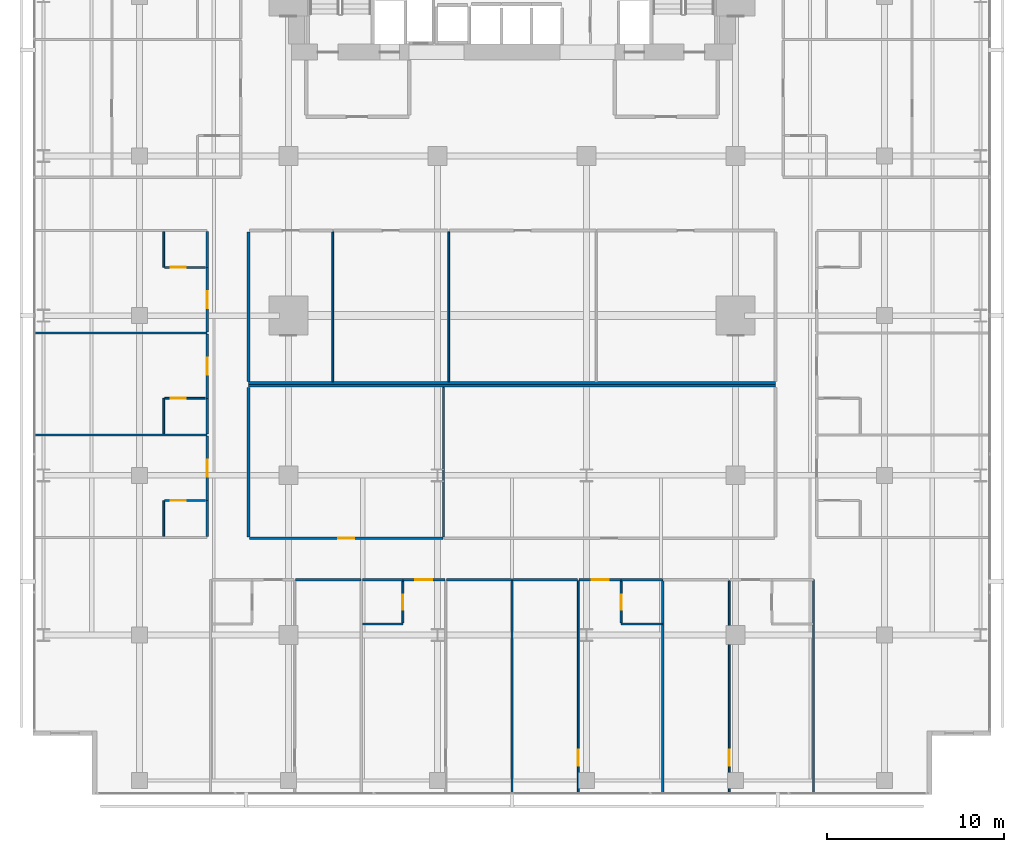
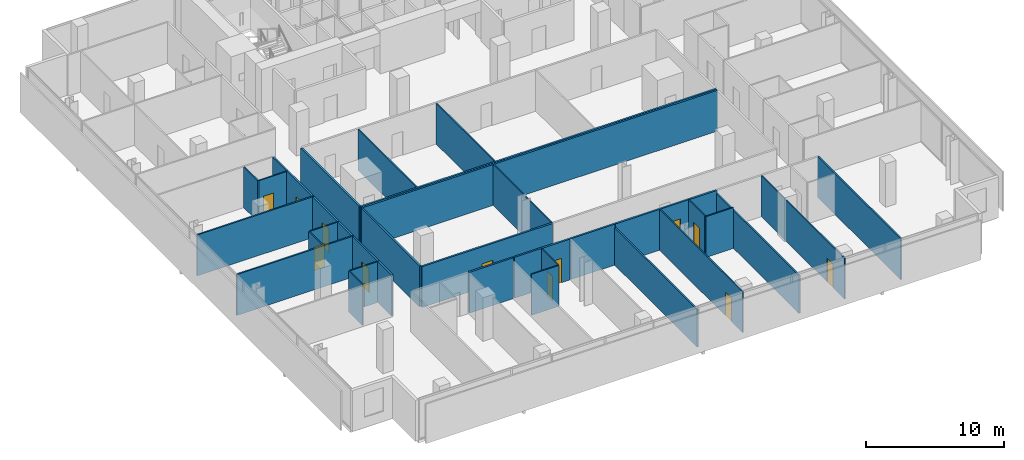
# One storey, part 33 of 40: 38 walls, 13 doors, 13 openings.
"""IFC4 building model written with IfcOpenShell, lengths in metres."""

from ifc_helpers import new_model, si_unit, direction, frame, frame_2d, origin, place, context, subcontext, project, spatial, rectangle, extrude, material, layer, layer_set, type_object, element, fill, save


model = new_model("IFC4")

# Units and contexts
model_context = context("Model", 3, precision=1e-05, world=origin(), true_north=direction((0.0, 1.0)))
body_context = subcontext(model_context, "Body", "Model", "MODEL_VIEW")
ifc_project = project(units=[si_unit("LENGTHUNIT", "METRE"), si_unit("AREAUNIT", "SQUARE_METRE"), si_unit("VOLUMEUNIT", "CUBIC_METRE"), si_unit("PLANEANGLEUNIT", "RADIAN"), si_unit("MASSUNIT", "GRAM", prefix="KILO")], contexts=[model_context])

# Site, building, storey
site_placement = place(None, origin())
site = spatial("IfcSite", under=ifc_project, at=site_placement, CompositionType="ELEMENT")
building_placement = place(site_placement, origin())
building = spatial("IfcBuilding", under=site, at=building_placement, Name="Maruvema Waterfront Hotel and Observation Tower", CompositionType="ELEMENT")
storey_placement = place(building_placement, frame((0.0, 0.0, 92.39990234375)))
storey = spatial("IfcBuildingStorey", under=building, at=storey_placement, Name="L22", CompositionType="ELEMENT", Elevation=92.39990234375)

# Walls
ifc_material_1 = material(Name="Twin-stud acoustic gypsum drywall", Category="gypsum")
ifc_layer_1 = layer(ifc_material_1, 0.14990234375, Name="Acoustic Corridor and Suite Demising Wall 150 mm")
ifc_layer_set_1 = layer_set([ifc_layer_1], Name="Twin-stud acoustic gypsum drywall")
wall_type_1 = type_object("IfcWallType", Name="Acoustic Corridor and Suite Demising Wall 150 mm", PredefinedType="PARTITIONING", material=ifc_layer_set_1)
wall_1_placement = place(storey_placement, frame((22.949951171875, 23.199951171875, 0.0), z_axis=(0.0, 0.0, 1.0), x_axis=(1.0, 0.0, 0.0)))
element("IfcWall", 1, at=wall_1_placement, inside=storey, type_object=wall_type_1, Name="L22 L22-INTN Back Wall 012", PredefinedType="PARTITIONING", context=body_context, shape_type="SweptSolid", body=[
    extrude(rectangle(XDim=29.699951171875, YDim=0.14990234375, at=frame_2d((14.85009765625, 0.0))), origin(), (0.0, 0.0, 1.0), 3.610107421875),
])
wall_2_placement = place(storey_placement, frame((22.949951171875, 23.280029296875, 0.0), z_axis=(0.0, 0.0, 1.0), x_axis=(0.0, 1.0, 0.0)))
element("IfcWall", 2, at=wall_2_placement, inside=storey, type_object=wall_type_1, Name="L22 L22-INTN West Wall 013", PredefinedType="PARTITIONING", context=body_context, shape_type="SweptSolid", body=[
    extrude(rectangle(XDim=8.43994140625, YDim=0.14990234375, at=frame_2d((4.219970703125, 0.0))), origin(), (0.0, 0.0, 1.0), 3.610107421875),
])
wall_3_placement = place(storey_placement, frame((22.949951171875, 23.0400390625, 0.0), z_axis=(0.0, 0.0, 1.0), x_axis=(1.0, 0.0, 0.0)))
element("IfcWall", 3, at=wall_3_placement, inside=storey, type_object=wall_type_1, Name="L22 L22-INTS Back Wall 022", PredefinedType="PARTITIONING", context=body_context, shape_type="SweptSolid", body=[
    extrude(rectangle(XDim=29.699951171875, YDim=0.14990234375, at=frame_2d((14.85009765625, 0.0))), origin(), (0.0, 0.0, 1.0), 3.610107421875),
])
wall_4_placement = place(storey_placement, frame((22.949951171875, 14.530029296875, 0.0), z_axis=(0.0, 0.0, 1.0), x_axis=(0.0, 1.0, 0.0)))
element("IfcWall", 4, at=wall_4_placement, inside=storey, type_object=wall_type_1, Name="L22 L22-INTS West Wall 023", PredefinedType="PARTITIONING", context=body_context, shape_type="SweptSolid", body=[
    extrude(rectangle(XDim=8.429931640625, YDim=0.14990234375, at=frame_2d((4.21484375, 0.0))), origin(), (0.0, 0.0, 1.0), 3.610107421875),
])

# Wall, opening, door
wall_5_placement = place(storey_placement, frame((23.010009765625, 14.449951171875, 0.0), z_axis=(0.0, 0.0, 1.0), x_axis=(1.0, 0.0, 0.0)))
wall_5 = element("IfcWall", 5, at=wall_5_placement, inside=storey, type_object=wall_type_1, Name="L22 L22-INTS Front 1 025", PredefinedType="PARTITIONING", context=body_context, shape_type="SweptSolid", body=[
    extrude(rectangle(XDim=10.89892578125, YDim=0.14990234375, at=frame_2d((5.449462890625, 0.0))), origin(), (0.0, 0.0, 1.0), 3.610107421875),
])
opening_1_placement = place(wall_5_placement, frame((4.99951171875, 0.0, 0.0)))
opening_1 = element("IfcOpeningElement", 6, at=opening_1_placement, cuts=wall_5, Name="Opening DR-090", PredefinedType="OPENING", context=body_context, shape_type="SweptSolid", body=[
    extrude(rectangle(XDim=0.89990234375, YDim=2.10009765625, at=frame_2d((0.449951171875, 1.050048828125))), frame((0.0, 0.0849609375, 0.0), z_axis=(0.0, -1.0, 0.0), x_axis=(1.0, 0.0, 0.0)), (0.0, 0.0, 1.0), 0.169921875),
])
ifc_material_2 = material(Name="Solid-core lacquered timber leaf", Category="wood")
door_type_1 = type_object("IfcDoorType", Name="Accessible Toilet and Room Door 900x2100 mm", OperationType="NOTDEFINED", PredefinedType="DOOR", material=ifc_material_2)
door_1_placement = place(opening_1_placement, frame((0.89990234375, 0.0, 0.0), z_axis=(0.0, 0.0, 1.0), x_axis=(-1.0, 0.0, 0.0)))
door_1 = element("IfcDoor", 7, at=door_1_placement, inside=storey, type_object=door_type_1, Name="L22 Curator Office Door", OperationType="SINGLE_SWING_LEFT", OverallHeight=2.10009765625, OverallWidth=0.89990234375, PredefinedType="DOOR", context=body_context, shape_type="SweptSolid", body=[
    extrude(rectangle(XDim=0.89990234375, YDim=2.10009765625, at=frame_2d((0.449951171875, 1.050048828125))), frame((0.0, 0.02490234375, 0.0), z_axis=(0.0, -1.0, 0.0), x_axis=(1.0, 0.0, 0.0)), (0.0, 0.0, 1.0), 0.050048828125),
])
fill(opening_1, door_1)

# Walls
wall_6_placement = place(storey_placement, frame((25.60009765625, 12.1201171875, 0.0), z_axis=(0.0, 0.0, 1.0), x_axis=(1.0, 0.0, 0.0)))
element("IfcWall", 8, at=wall_6_placement, inside=storey, type_object=wall_type_1, Name="L22 Bedroom L22-S1 Back Wall 034", PredefinedType="PARTITIONING", context=body_context, shape_type="SweptSolid", body=[
    extrude(rectangle(XDim=3.679931640625, YDim=0.14990234375, at=frame_2d((1.83984375, 0.0))), origin(), (0.0, 0.0, 1.0), 3.610107421875),
])
wall_7_placement = place(storey_placement, frame((29.3798828125, 12.1201171875, 0.0), z_axis=(0.0, 0.0, 1.0), x_axis=(1.0, 0.0, 0.0)))
element("IfcWall", 9, at=wall_7_placement, inside=storey, type_object=wall_type_1, Name="L22 Bath L22-S2 Back Wall 037", PredefinedType="PARTITIONING", context=body_context, shape_type="SweptSolid", body=[
    extrude(rectangle(XDim=2.27001953125, YDim=0.14990234375, at=frame_2d((1.135009765625, 0.0))), origin(), (0.0, 0.0, 1.0), 3.610107421875),
])

# Wall, opening, door
wall_8_placement = place(storey_placement, frame((31.64990234375, 12.1201171875, 0.0), z_axis=(0.0, 0.0, 1.0), x_axis=(1.0, 0.0, 0.0)))
wall_8 = element("IfcWall", 10, at=wall_8_placement, inside=storey, type_object=wall_type_1, Name="L22 Unit L22-S2 Corridor Wall 040", PredefinedType="PARTITIONING", context=body_context, shape_type="SweptSolid", body=[
    extrude(rectangle(XDim=2.3701171875, YDim=0.14990234375, at=frame_2d((1.18505859375, 0.0))), origin(), (0.0, 0.0, 1.0), 3.610107421875),
])
opening_2_placement = place(wall_8_placement, frame((0.7099609375, 0.0, 0.0)))
opening_2 = element("IfcOpeningElement", 11, at=opening_2_placement, cuts=wall_8, Name="Opening DR-095", PredefinedType="OPENING", context=body_context, shape_type="SweptSolid", body=[
    extrude(rectangle(XDim=0.949951171875, YDim=2.14990234375, at=frame_2d((0.47509765625, 1.074951171875))), frame((0.0, 0.0849609375, 0.0), z_axis=(0.0, -1.0, 0.0), x_axis=(1.0, 0.0, 0.0)), (0.0, 0.0, 1.0), 0.169921875),
])
ifc_material_3 = material(Name="Acoustic solid-core hardwood timber leaf", Category="wood")
door_type_2 = type_object("IfcDoorType", Name="Guestroom Entrance Fire Door 950x2150 mm", OperationType="NOTDEFINED", PredefinedType="DOOR", material=ifc_material_3)
door_2_placement = place(opening_2_placement, frame((0.949951171875, 0.0, 0.0), z_axis=(0.0, 0.0, 1.0), x_axis=(-1.0, 0.0, 0.0)))
door_2 = element("IfcDoor", 12, at=door_2_placement, inside=storey, type_object=door_type_2, Name="L22 Unit L22-S2 Entrance Door", OperationType="SINGLE_SWING_LEFT", OverallHeight=2.14990234375, OverallWidth=0.949951171875, PredefinedType="DOOR", context=body_context, shape_type="SweptSolid", body=[
    extrude(rectangle(XDim=0.949951171875, YDim=2.14990234375, at=frame_2d((0.47509765625, 1.074951171875))), frame((0.0, 0.02490234375, 0.0), z_axis=(0.0, -1.0, 0.0), x_axis=(1.0, 0.0, 0.0)), (0.0, 0.0, 1.0), 0.050048828125),
])
fill(opening_2, door_2)

# Walls
wall_9_placement = place(storey_placement, frame((34.10009765625, 12.1201171875, 0.0), z_axis=(0.0, 0.0, 1.0), x_axis=(1.0, 0.0, 0.0)))
element("IfcWall", 13, at=wall_9_placement, inside=storey, type_object=wall_type_1, Name="L22 Bedroom L22-S2 Back Wall 041", PredefinedType="PARTITIONING", context=body_context, shape_type="SweptSolid", body=[
    extrude(rectangle(XDim=3.679931640625, YDim=0.14990234375, at=frame_2d((1.83984375, 0.0))), origin(), (0.0, 0.0, 1.0), 3.610107421875),
])
wall_10_placement = place(storey_placement, frame((43.949951171875, 12.1201171875, 0.0), z_axis=(0.0, 0.0, 1.0), x_axis=(1.0, 0.0, 0.0)))
element("IfcWall", 14, at=wall_10_placement, inside=storey, type_object=wall_type_1, Name="L22 Bath L22-S3 Back Wall 044", PredefinedType="PARTITIONING", context=body_context, shape_type="SweptSolid", body=[
    extrude(rectangle(XDim=2.330078125, YDim=0.14990234375, at=frame_2d((1.1650390625, 0.0))), origin(), (0.0, 0.0, 1.0), 3.610107421875),
])
wall_11_placement = place(storey_placement, frame((37.820068359375, 12.1201171875, 0.0), z_axis=(0.0, 0.0, 1.0), x_axis=(1.0, 0.0, 0.0)))
element("IfcWall", 15, at=wall_11_placement, inside=storey, type_object=wall_type_1, Name="L22 Bedroom L22-S3 Back Wall 047", PredefinedType="PARTITIONING", context=body_context, shape_type="SweptSolid", body=[
    extrude(rectangle(XDim=3.679931640625, YDim=0.14990234375, at=frame_2d((1.83984375, 0.0))), origin(), (0.0, 0.0, 1.0), 3.610107421875),
])

# Wall, opening, door
wall_12_placement = place(storey_placement, frame((41.580078125, 12.1201171875, 0.0), z_axis=(0.0, 0.0, 1.0), x_axis=(1.0, 0.0, 0.0)))
wall_12 = element("IfcWall", 16, at=wall_12_placement, inside=storey, type_object=wall_type_1, Name="L22 Unit L22-S3 Corridor Wall 048", PredefinedType="PARTITIONING", context=body_context, shape_type="SweptSolid", body=[
    extrude(rectangle(XDim=2.369873046875, YDim=0.14990234375, at=frame_2d((1.18505859375, 0.0))), origin(), (0.0, 0.0, 1.0), 3.610107421875),
])
opening_3_placement = place(wall_12_placement, frame((0.7099609375, 0.0, 0.0)))
opening_3 = element("IfcOpeningElement", 17, at=opening_3_placement, cuts=wall_12, Name="Opening DR-095", PredefinedType="OPENING", context=body_context, shape_type="SweptSolid", body=[
    extrude(rectangle(XDim=0.949951171875, YDim=2.14990234375, at=frame_2d((0.47509765625, 1.074951171875))), frame((0.0, 0.0849609375, 0.0), z_axis=(0.0, -1.0, 0.0), x_axis=(1.0, 0.0, 0.0)), (0.0, 0.0, 1.0), 0.169921875),
])
door_3_placement = place(opening_3_placement, frame((0.949951171875, 0.0, 0.0), z_axis=(0.0, 0.0, 1.0), x_axis=(-1.0, 0.0, 0.0)))
door_3 = element("IfcDoor", 18, at=door_3_placement, inside=storey, type_object=door_type_2, Name="L22 Unit L22-S3 Entrance Door", OperationType="SINGLE_SWING_RIGHT", OverallHeight=2.14990234375, OverallWidth=0.949951171875, PredefinedType="DOOR", context=body_context, shape_type="SweptSolid", body=[
    extrude(rectangle(XDim=0.949951171875, YDim=2.14990234375, at=frame_2d((0.47509765625, 1.074951171875))), frame((0.0, 0.02490234375, 0.0), z_axis=(0.0, -1.0, 0.0), x_axis=(1.0, 0.0, 0.0)), (0.0, 0.0, 1.0), 0.050048828125),
])
fill(opening_3, door_3)

# Wall
wall_13_placement = place(storey_placement, frame((20.6201171875, 14.56005859375, 0.0), z_axis=(0.0, 0.0, 1.0), x_axis=(0.0, 1.0, 0.0)))
element("IfcWall", 19, at=wall_13_placement, inside=storey, type_object=wall_type_1, Name="L22 Bath L22-W1 Wall 061", PredefinedType="PARTITIONING", context=body_context, shape_type="SweptSolid", body=[
    extrude(rectangle(XDim=2.02001953125, YDim=0.14990234375, at=frame_2d((1.010009765625, 0.0))), origin(), (0.0, 0.0, 1.0), 3.610107421875),
])

# Wall, opening, door
wall_14_placement = place(storey_placement, frame((20.6201171875, 16.580078125, 0.0), z_axis=(0.0, 0.0, 1.0), x_axis=(0.0, 1.0, 0.0)))
wall_14 = element("IfcWall", 20, at=wall_14_placement, inside=storey, type_object=wall_type_1, Name="L22 Room L22-W1 Corridor Wall 062", PredefinedType="PARTITIONING", context=body_context, shape_type="SweptSolid", body=[
    extrude(rectangle(XDim=3.6298828125, YDim=0.14990234375, at=frame_2d((1.81494140625, 0.0))), origin(), (0.0, 0.0, 1.0), 3.610107421875),
])
opening_4_placement = place(wall_14_placement, frame((1.340087890625, 0.0, 0.0)))
opening_4 = element("IfcOpeningElement", 21, at=opening_4_placement, cuts=wall_14, Name="Opening DR-095", PredefinedType="OPENING", context=body_context, shape_type="SweptSolid", body=[
    extrude(rectangle(XDim=0.949951171875, YDim=2.14990234375, at=frame_2d((0.47509765625, 1.074951171875))), frame((0.0, 0.0849609375, 0.0), z_axis=(0.0, -1.0, 0.0), x_axis=(1.0, 0.0, 0.0)), (0.0, 0.0, 1.0), 0.169921875),
])
door_4_placement = place(opening_4_placement, origin())
door_4 = element("IfcDoor", 22, at=door_4_placement, inside=storey, type_object=door_type_2, Name="L22 Room L22-W1 Entrance Door", OperationType="SINGLE_SWING_RIGHT", OverallHeight=2.14990234375, OverallWidth=0.949951171875, PredefinedType="DOOR", context=body_context, shape_type="SweptSolid", body=[
    extrude(rectangle(XDim=0.949951171875, YDim=2.14990234375, at=frame_2d((0.47509765625, 1.074951171875))), frame((0.0, 0.02490234375, 0.0), z_axis=(0.0, -1.0, 0.0), x_axis=(1.0, 0.0, 0.0)), (0.0, 0.0, 1.0), 0.050048828125),
])
fill(opening_4, door_4)

# Wall
wall_15_placement = place(storey_placement, frame((20.6201171875, 20.330078125, 0.0), z_axis=(0.0, 0.0, 1.0), x_axis=(0.0, 1.0, 0.0)))
element("IfcWall", 23, at=wall_15_placement, inside=storey, type_object=wall_type_1, Name="L22 Bath L22-W2 Wall 071", PredefinedType="PARTITIONING", context=body_context, shape_type="SweptSolid", body=[
    extrude(rectangle(XDim=2.010009765625, YDim=0.14990234375, at=frame_2d((1.0048828125, 0.0))), origin(), (0.0, 0.0, 1.0), 3.610107421875),
])

# Wall, opening, door
wall_16_placement = place(storey_placement, frame((20.6201171875, 22.340087890625, 0.0), z_axis=(0.0, 0.0, 1.0), x_axis=(0.0, 1.0, 0.0)))
wall_16 = element("IfcWall", 24, at=wall_16_placement, inside=storey, type_object=wall_type_1, Name="L22 Room L22-W2 Corridor Wall 072", PredefinedType="PARTITIONING", context=body_context, shape_type="SweptSolid", body=[
    extrude(rectangle(XDim=3.6298828125, YDim=0.14990234375, at=frame_2d((1.81494140625, 0.0))), origin(), (0.0, 0.0, 1.0), 3.610107421875),
])
opening_5_placement = place(wall_16_placement, frame((1.340087890625, 0.0, 0.0)))
opening_5 = element("IfcOpeningElement", 25, at=opening_5_placement, cuts=wall_16, Name="Opening DR-095", PredefinedType="OPENING", context=body_context, shape_type="SweptSolid", body=[
    extrude(rectangle(XDim=0.949951171875, YDim=2.14990234375, at=frame_2d((0.47509765625, 1.074951171875))), frame((0.0, 0.0849609375, 0.0), z_axis=(0.0, -1.0, 0.0), x_axis=(1.0, 0.0, 0.0)), (0.0, 0.0, 1.0), 0.169921875),
])
door_5_placement = place(opening_5_placement, origin())
door_5 = element("IfcDoor", 26, at=door_5_placement, inside=storey, type_object=door_type_2, Name="L22 Room L22-W2 Entrance Door", OperationType="SINGLE_SWING_RIGHT", OverallHeight=2.14990234375, OverallWidth=0.949951171875, PredefinedType="DOOR", context=body_context, shape_type="SweptSolid", body=[
    extrude(rectangle(XDim=0.949951171875, YDim=2.14990234375, at=frame_2d((0.47509765625, 1.074951171875))), frame((0.0, 0.02490234375, 0.0), z_axis=(0.0, -1.0, 0.0), x_axis=(1.0, 0.0, 0.0)), (0.0, 0.0, 1.0), 0.050048828125),
])
fill(opening_5, door_5)

wall_17_placement = place(storey_placement, frame((20.6201171875, 26.090087890625, 0.0), z_axis=(0.0, 0.0, 1.0), x_axis=(0.0, 1.0, 0.0)))
wall_17 = element("IfcWall", 27, at=wall_17_placement, inside=storey, type_object=wall_type_1, Name="L22 Room L22-W3 Corridor Wall 081", PredefinedType="PARTITIONING", context=body_context, shape_type="SweptSolid", body=[
    extrude(rectangle(XDim=3.6298828125, YDim=0.14990234375, at=frame_2d((1.81494140625, 0.0))), origin(), (0.0, 0.0, 1.0), 3.610107421875),
])
opening_6_placement = place(wall_17_placement, frame((1.340087890625, 0.0, 0.0)))
opening_6 = element("IfcOpeningElement", 28, at=opening_6_placement, cuts=wall_17, Name="Opening DR-095", PredefinedType="OPENING", context=body_context, shape_type="SweptSolid", body=[
    extrude(rectangle(XDim=0.949951171875, YDim=2.14990234375, at=frame_2d((0.47509765625, 1.074951171875))), frame((0.0, 0.0849609375, 0.0), z_axis=(0.0, -1.0, 0.0), x_axis=(1.0, 0.0, 0.0)), (0.0, 0.0, 1.0), 0.169921875),
])
door_6_placement = place(opening_6_placement, origin())
door_6 = element("IfcDoor", 29, at=door_6_placement, inside=storey, type_object=door_type_2, Name="L22 Room L22-W3 Entrance Door", OperationType="SINGLE_SWING_RIGHT", OverallHeight=2.14990234375, OverallWidth=0.949951171875, PredefinedType="DOOR", context=body_context, shape_type="SweptSolid", body=[
    extrude(rectangle(XDim=0.949951171875, YDim=2.14990234375, at=frame_2d((0.47509765625, 1.074951171875))), frame((0.0, 0.02490234375, 0.0), z_axis=(0.0, -1.0, 0.0), x_axis=(1.0, 0.0, 0.0)), (0.0, 0.0, 1.0), 0.050048828125),
])
fill(opening_6, door_6)

# Walls
wall_18_placement = place(storey_placement, frame((20.6201171875, 29.719970703125, 0.0), z_axis=(0.0, 0.0, 1.0), x_axis=(0.0, 1.0, 0.0)))
element("IfcWall", 30, at=wall_18_placement, inside=storey, type_object=wall_type_1, Name="L22 Bath L22-W3 Wall 082", PredefinedType="PARTITIONING", context=body_context, shape_type="SweptSolid", body=[
    extrude(rectangle(XDim=2.02001953125, YDim=0.14990234375, at=frame_2d((1.010009765625, 0.0))), origin(), (0.0, 0.0, 1.0), 3.610107421875),
])
ifc_material_4 = material(Name="Moisture-resistant cement-board drywall", Category="gypsum")
ifc_layer_2 = layer(ifc_material_4, 0.10009765625, Name="En-Suite Moisture-Resistant Partition 100 mm")
ifc_layer_set_2 = layer_set([ifc_layer_2], Name="Moisture-resistant cement-board drywall")
wall_type_2 = type_object("IfcWallType", Name="En-Suite Moisture-Resistant Partition 100 mm", PredefinedType="PARTITIONING", material=ifc_layer_set_2)
for number, where, z_axis, x_axis, name in (
    (31, (27.701904296875, 23.280029296875, 0.0), (0.0, 0.0, 1.0), (0.0, 1.0, 0.0), "L22 L22-INTN Split 1 016"),
    (32, (34.236083984375, 23.280029296875, 0.0), (0.0, 0.0, 1.0), (0.0, 1.0, 0.0), "L22 L22-INTN Split 2 018"),
):
    element("IfcWall", number, at=place(storey_placement, frame(where, z_axis=z_axis, x_axis=x_axis)), inside=storey, type_object=wall_type_2, Name=name, PredefinedType="PARTITIONING", context=body_context, shape_type="SweptSolid", body=[
        extrude(rectangle(XDim=8.43994140625, YDim=0.10009765625, at=frame_2d((4.219970703125, 0.0))), origin(), (0.0, 0.0, 1.0), 3.610107421875),
    ])
wall_19_placement = place(storey_placement, frame((33.93896484375, 14.530029296875, 0.0), z_axis=(0.0, 0.0, 1.0), x_axis=(0.0, 1.0, 0.0)))
element("IfcWall", 33, at=wall_19_placement, inside=storey, type_object=wall_type_2, Name="L22 L22-INTS Split 1 026", PredefinedType="PARTITIONING", context=body_context, shape_type="SweptSolid", body=[
    extrude(rectangle(XDim=8.429931640625, YDim=0.10009765625, at=frame_2d((4.21484375, 0.0))), origin(), (0.0, 0.0, 1.0), 3.610107421875),
])
wall_20_placement = place(storey_placement, frame((29.3798828125, 9.6201171875, 0.0), z_axis=(0.0, 0.0, 1.0), x_axis=(1.0, 0.0, 0.0)))
element("IfcWall", 34, at=wall_20_placement, inside=storey, type_object=wall_type_2, Name="L22 En-Suite L22-S2 South 038", PredefinedType="PARTITIONING", context=body_context, shape_type="SweptSolid", body=[
    extrude(rectangle(XDim=2.27001953125, YDim=0.10009765625, at=frame_2d((1.135009765625, 0.0))), origin(), (0.0, 0.0, 1.0), 3.610107421875),
])

# Wall, opening, door
wall_21_placement = place(storey_placement, frame((31.64990234375, 9.679931640625, 0.0), z_axis=(0.0, 0.0, 1.0), x_axis=(0.0, 1.0, 0.0)))
wall_21 = element("IfcWall", 35, at=wall_21_placement, inside=storey, type_object=wall_type_2, Name="L22 En-Suite L22-S2 East 039", PredefinedType="PARTITIONING", context=body_context, shape_type="SweptSolid", body=[
    extrude(rectangle(XDim=2.340087890625, YDim=0.10009765625, at=frame_2d((1.169921875, 0.0))), origin(), (0.0, 0.0, 1.0), 3.610107421875),
])
opening_7_placement = place(wall_21_placement, frame((0.7451171875, 0.0, 0.0)))
opening_7 = element("IfcOpeningElement", 36, at=opening_7_placement, cuts=wall_21, Name="Opening DR-085", PredefinedType="OPENING", context=body_context, shape_type="SweptSolid", body=[
    extrude(rectangle(XDim=0.85009765625, YDim=2.10009765625, at=frame_2d((0.425048828125, 1.050048828125))), frame((0.0, 0.06005859375, 0.0), z_axis=(0.0, -1.0, 0.0), x_axis=(1.0, 0.0, 0.0)), (0.0, 0.0, 1.0), 0.1201171875),
])
ifc_material_5 = material(Name="Moisture-resistant solid timber leaf", Category="wood")
door_type_3 = type_object("IfcDoorType", Name="En-Suite Bathroom Door 850x2100 mm", OperationType="NOTDEFINED", PredefinedType="DOOR", material=ifc_material_5)
door_7_placement = place(opening_7_placement, frame((0.85009765625, 0.0, 0.0), z_axis=(0.0, 0.0, 1.0), x_axis=(-1.0, 0.0, 0.0)))
door_7 = element("IfcDoor", 37, at=door_7_placement, inside=storey, type_object=door_type_3, Name="L22 En-Suite L22-S2 Door", OperationType="SINGLE_SWING_RIGHT", OverallHeight=2.10009765625, OverallWidth=0.85009765625, PredefinedType="DOOR", context=body_context, shape_type="SweptSolid", body=[
    extrude(rectangle(XDim=0.85009765625, YDim=2.10009765625, at=frame_2d((0.425048828125, 1.050048828125))), frame((0.0, 0.02490234375, 0.0), z_axis=(0.0, -1.0, 0.0), x_axis=(1.0, 0.0, 0.0)), (0.0, 0.0, 1.0), 0.050048828125),
])
fill(opening_7, door_7)

# Wall
wall_22_placement = place(storey_placement, frame((43.949951171875, 9.6201171875, 0.0), z_axis=(0.0, 0.0, 1.0), x_axis=(1.0, 0.0, 0.0)))
element("IfcWall", 38, at=wall_22_placement, inside=storey, type_object=wall_type_2, Name="L22 En-Suite L22-S3 South 045", PredefinedType="PARTITIONING", context=body_context, shape_type="SweptSolid", body=[
    extrude(rectangle(XDim=2.31005859375, YDim=0.10009765625, at=frame_2d((1.155029296875, 0.0))), origin(), (0.0, 0.0, 1.0), 3.610107421875),
])

# Wall, opening, door
wall_23_placement = place(storey_placement, frame((43.949951171875, 9.679931640625, 0.0), z_axis=(0.0, 0.0, 1.0), x_axis=(0.0, 1.0, 0.0)))
wall_23 = element("IfcWall", 39, at=wall_23_placement, inside=storey, type_object=wall_type_2, Name="L22 En-Suite L22-S3 West 046", PredefinedType="PARTITIONING", context=body_context, shape_type="SweptSolid", body=[
    extrude(rectangle(XDim=2.340087890625, YDim=0.10009765625, at=frame_2d((1.169921875, 0.0))), origin(), (0.0, 0.0, 1.0), 3.610107421875),
])
opening_8_placement = place(wall_23_placement, frame((0.7451171875, 0.0, 0.0)))
opening_8 = element("IfcOpeningElement", 40, at=opening_8_placement, cuts=wall_23, Name="Opening DR-085", PredefinedType="OPENING", context=body_context, shape_type="SweptSolid", body=[
    extrude(rectangle(XDim=0.85009765625, YDim=2.10009765625, at=frame_2d((0.425048828125, 1.050048828125))), frame((0.0, 0.06005859375, 0.0), z_axis=(0.0, -1.0, 0.0), x_axis=(1.0, 0.0, 0.0)), (0.0, 0.0, 1.0), 0.1201171875),
])
door_8_placement = place(opening_8_placement, origin())
door_8 = element("IfcDoor", 41, at=door_8_placement, inside=storey, type_object=door_type_3, Name="L22 En-Suite L22-S3 Door", OperationType="SINGLE_SWING_LEFT", OverallHeight=2.10009765625, OverallWidth=0.85009765625, PredefinedType="DOOR", context=body_context, shape_type="SweptSolid", body=[
    extrude(rectangle(XDim=0.85009765625, YDim=2.10009765625, at=frame_2d((0.425048828125, 1.050048828125))), frame((0.0, 0.02490234375, 0.0), z_axis=(0.0, -1.0, 0.0), x_axis=(1.0, 0.0, 0.0)), (0.0, 0.0, 1.0), 0.050048828125),
])
fill(opening_8, door_8)

wall_24_placement = place(storey_placement, frame((41.5400390625, 0.030029296875, 0.0), z_axis=(0.0, 0.0, 1.0), x_axis=(0.0, 1.0, 0.0)))
wall_24 = element("IfcWall", 42, at=wall_24_placement, inside=storey, type_object=wall_type_2, Name="L22 Suite L22-S3 Split 049", PredefinedType="PARTITIONING", context=body_context, shape_type="SweptSolid", body=[
    extrude(rectangle(XDim=12.030029296875, YDim=0.10009765625, at=frame_2d((6.01513671875, 0.0))), origin(), (0.0, 0.0, 1.0), 3.610107421875),
])
opening_9_placement = place(wall_24_placement, frame((1.60009765625, 0.0, 0.0)))
opening_9 = element("IfcOpeningElement", 43, at=opening_9_placement, cuts=wall_24, Name="Opening DR-090", PredefinedType="OPENING", context=body_context, shape_type="SweptSolid", body=[
    extrude(rectangle(XDim=0.89990234375, YDim=2.10009765625, at=frame_2d((0.449951171875, 1.050048828125))), frame((0.0, 0.06005859375, 0.0), z_axis=(0.0, -1.0, 0.0), x_axis=(1.0, 0.0, 0.0)), (0.0, 0.0, 1.0), 0.1201171875),
])
door_9_placement = place(opening_9_placement, frame((0.89990234375, 0.0, 0.0), z_axis=(0.0, 0.0, 1.0), x_axis=(-1.0, 0.0, 0.0)))
door_9 = element("IfcDoor", 44, at=door_9_placement, inside=storey, type_object=door_type_1, Name="L22 Suite L22-S3 Bedroom Door", OperationType="SINGLE_SWING_LEFT", OverallHeight=2.10009765625, OverallWidth=0.89990234375, PredefinedType="DOOR", context=body_context, shape_type="SweptSolid", body=[
    extrude(rectangle(XDim=0.89990234375, YDim=2.10009765625, at=frame_2d((0.449951171875, 1.050048828125))), frame((0.0, 0.02490234375, 0.0), z_axis=(0.0, -1.0, 0.0), x_axis=(1.0, 0.0, 0.0)), (0.0, 0.0, 1.0), 0.050048828125),
])
fill(opening_9, door_9)

wall_25_placement = place(storey_placement, frame((50.0400390625, 0.030029296875, 0.0), z_axis=(0.0, 0.0, 1.0), x_axis=(0.0, 1.0, 0.0)))
wall_25 = element("IfcWall", 45, at=wall_25_placement, inside=storey, type_object=wall_type_2, Name="L22 Suite L22-S4 Split 056", PredefinedType="PARTITIONING", context=body_context, shape_type="SweptSolid", body=[
    extrude(rectangle(XDim=12.030029296875, YDim=0.10009765625, at=frame_2d((6.01513671875, 0.0))), origin(), (0.0, 0.0, 1.0), 3.610107421875),
])
opening_10_placement = place(wall_25_placement, frame((1.60009765625, 0.0, 0.0)))
opening_10 = element("IfcOpeningElement", 46, at=opening_10_placement, cuts=wall_25, Name="Opening DR-090", PredefinedType="OPENING", context=body_context, shape_type="SweptSolid", body=[
    extrude(rectangle(XDim=0.89990234375, YDim=2.10009765625, at=frame_2d((0.449951171875, 1.050048828125))), frame((0.0, 0.06005859375, 0.0), z_axis=(0.0, -1.0, 0.0), x_axis=(1.0, 0.0, 0.0)), (0.0, 0.0, 1.0), 0.1201171875),
])
door_10_placement = place(opening_10_placement, frame((0.89990234375, 0.0, 0.0), z_axis=(0.0, 0.0, 1.0), x_axis=(-1.0, 0.0, 0.0)))
door_10 = element("IfcDoor", 47, at=door_10_placement, inside=storey, type_object=door_type_1, Name="L22 Suite L22-S4 Bedroom Door", OperationType="SINGLE_SWING_RIGHT", OverallHeight=2.10009765625, OverallWidth=0.89990234375, PredefinedType="DOOR", context=body_context, shape_type="SweptSolid", body=[
    extrude(rectangle(XDim=0.89990234375, YDim=2.10009765625, at=frame_2d((0.449951171875, 1.050048828125))), frame((0.0, 0.02490234375, 0.0), z_axis=(0.0, -1.0, 0.0), x_axis=(1.0, 0.0, 0.0)), (0.0, 0.0, 1.0), 0.050048828125),
])
fill(opening_10, door_10)

# Wall
wall_26_placement = place(storey_placement, frame((18.169921875, 14.56005859375, 0.0), z_axis=(0.0, 0.0, 1.0), x_axis=(0.0, 1.0, 0.0)))
element("IfcWall", 48, at=wall_26_placement, inside=storey, type_object=wall_type_2, Name="L22 En-Suite L22-W1 W 063", PredefinedType="PARTITIONING", context=body_context, shape_type="SweptSolid", body=[
    extrude(rectangle(XDim=2.02001953125, YDim=0.10009765625, at=frame_2d((1.010009765625, 0.0))), origin(), (0.0, 0.0, 1.0), 3.610107421875),
])

# Wall, opening, door
wall_27_placement = place(storey_placement, frame((18.219970703125, 16.580078125, 0.0), z_axis=(0.0, 0.0, 1.0), x_axis=(1.0, 0.0, 0.0)))
wall_27 = element("IfcWall", 49, at=wall_27_placement, inside=storey, type_object=wall_type_2, Name="L22 En-Suite L22-W1 N 064", PredefinedType="PARTITIONING", context=body_context, shape_type="SweptSolid", body=[
    extrude(rectangle(XDim=2.300048828125, YDim=0.10009765625, at=frame_2d((1.14990234375, 0.0))), origin(), (0.0, 0.0, 1.0), 3.610107421875),
])
opening_11_placement = place(wall_27_placement, frame((0.35009765625, 0.0, 0.0)))
opening_11 = element("IfcOpeningElement", 50, at=opening_11_placement, cuts=wall_27, Name="Opening DR-085", PredefinedType="OPENING", context=body_context, shape_type="SweptSolid", body=[
    extrude(rectangle(XDim=0.85009765625, YDim=2.10009765625, at=frame_2d((0.425048828125, 1.050048828125))), frame((0.0, 0.06005859375, 0.0), z_axis=(0.0, -1.0, 0.0), x_axis=(1.0, 0.0, 0.0)), (0.0, 0.0, 1.0), 0.1201171875),
])
door_11_placement = place(opening_11_placement, origin())
door_11 = element("IfcDoor", 51, at=door_11_placement, inside=storey, type_object=door_type_3, Name="L22 En-Suite L22-W1 Door", OperationType="SINGLE_SWING_LEFT", OverallHeight=2.10009765625, OverallWidth=0.85009765625, PredefinedType="DOOR", context=body_context, shape_type="SweptSolid", body=[
    extrude(rectangle(XDim=0.85009765625, YDim=2.10009765625, at=frame_2d((0.425048828125, 1.050048828125))), frame((0.0, 0.02490234375, 0.0), z_axis=(0.0, -1.0, 0.0), x_axis=(1.0, 0.0, 0.0)), (0.0, 0.0, 1.0), 0.050048828125),
])
fill(opening_11, door_11)

# Wall
wall_28_placement = place(storey_placement, frame((18.169921875, 20.330078125, 0.0), z_axis=(0.0, 0.0, 1.0), x_axis=(0.0, 1.0, 0.0)))
element("IfcWall", 52, at=wall_28_placement, inside=storey, type_object=wall_type_2, Name="L22 En-Suite L22-W2 W 073", PredefinedType="PARTITIONING", context=body_context, shape_type="SweptSolid", body=[
    extrude(rectangle(XDim=2.010009765625, YDim=0.10009765625, at=frame_2d((1.0048828125, 0.0))), origin(), (0.0, 0.0, 1.0), 3.610107421875),
])

# Wall, opening, door
wall_29_placement = place(storey_placement, frame((18.219970703125, 22.340087890625, 0.0), z_axis=(0.0, 0.0, 1.0), x_axis=(1.0, 0.0, 0.0)))
wall_29 = element("IfcWall", 53, at=wall_29_placement, inside=storey, type_object=wall_type_2, Name="L22 En-Suite L22-W2 N 074", PredefinedType="PARTITIONING", context=body_context, shape_type="SweptSolid", body=[
    extrude(rectangle(XDim=2.300048828125, YDim=0.10009765625, at=frame_2d((1.14990234375, 0.0))), origin(), (0.0, 0.0, 1.0), 3.610107421875),
])
opening_12_placement = place(wall_29_placement, frame((0.35009765625, 0.0, 0.0)))
opening_12 = element("IfcOpeningElement", 54, at=opening_12_placement, cuts=wall_29, Name="Opening DR-085", PredefinedType="OPENING", context=body_context, shape_type="SweptSolid", body=[
    extrude(rectangle(XDim=0.85009765625, YDim=2.10009765625, at=frame_2d((0.425048828125, 1.050048828125))), frame((0.0, 0.06005859375, 0.0), z_axis=(0.0, -1.0, 0.0), x_axis=(1.0, 0.0, 0.0)), (0.0, 0.0, 1.0), 0.1201171875),
])
door_12_placement = place(opening_12_placement, origin())
door_12 = element("IfcDoor", 55, at=door_12_placement, inside=storey, type_object=door_type_3, Name="L22 En-Suite L22-W2 Door", OperationType="SINGLE_SWING_LEFT", OverallHeight=2.10009765625, OverallWidth=0.85009765625, PredefinedType="DOOR", context=body_context, shape_type="SweptSolid", body=[
    extrude(rectangle(XDim=0.85009765625, YDim=2.10009765625, at=frame_2d((0.425048828125, 1.050048828125))), frame((0.0, 0.02490234375, 0.0), z_axis=(0.0, -1.0, 0.0), x_axis=(1.0, 0.0, 0.0)), (0.0, 0.0, 1.0), 0.050048828125),
])
fill(opening_12, door_12)

# Wall
wall_30_placement = place(storey_placement, frame((18.169921875, 29.719970703125, 0.0), z_axis=(0.0, 0.0, 1.0), x_axis=(0.0, 1.0, 0.0)))
element("IfcWall", 56, at=wall_30_placement, inside=storey, type_object=wall_type_2, Name="L22 En-Suite L22-W3 W 083", PredefinedType="PARTITIONING", context=body_context, shape_type="SweptSolid", body=[
    extrude(rectangle(XDim=2.02001953125, YDim=0.10009765625, at=frame_2d((1.010009765625, 0.0))), origin(), (0.0, 0.0, 1.0), 3.610107421875),
])

# Wall, opening, door
wall_31_placement = place(storey_placement, frame((18.219970703125, 29.719970703125, 0.0), z_axis=(0.0, 0.0, 1.0), x_axis=(1.0, 0.0, 0.0)))
wall_31 = element("IfcWall", 57, at=wall_31_placement, inside=storey, type_object=wall_type_2, Name="L22 En-Suite L22-W3 S 084", PredefinedType="PARTITIONING", context=body_context, shape_type="SweptSolid", body=[
    extrude(rectangle(XDim=2.300048828125, YDim=0.10009765625, at=frame_2d((1.14990234375, 0.0))), origin(), (0.0, 0.0, 1.0), 3.610107421875),
])
opening_13_placement = place(wall_31_placement, frame((0.35009765625, 0.0, 0.0)))
opening_13 = element("IfcOpeningElement", 58, at=opening_13_placement, cuts=wall_31, Name="Opening DR-085", PredefinedType="OPENING", context=body_context, shape_type="SweptSolid", body=[
    extrude(rectangle(XDim=0.85009765625, YDim=2.10009765625, at=frame_2d((0.425048828125, 1.050048828125))), frame((0.0, 0.06005859375, 0.0), z_axis=(0.0, -1.0, 0.0), x_axis=(1.0, 0.0, 0.0)), (0.0, 0.0, 1.0), 0.1201171875),
])
door_13_placement = place(opening_13_placement, frame((0.85009765625, 0.0, 0.0), z_axis=(0.0, 0.0, 1.0), x_axis=(-1.0, 0.0, 0.0)))
door_13 = element("IfcDoor", 59, at=door_13_placement, inside=storey, type_object=door_type_3, Name="L22 En-Suite L22-W3 Door", OperationType="SINGLE_SWING_LEFT", OverallHeight=2.10009765625, OverallWidth=0.85009765625, PredefinedType="DOOR", context=body_context, shape_type="SweptSolid", body=[
    extrude(rectangle(XDim=0.85009765625, YDim=2.10009765625, at=frame_2d((0.425048828125, 1.050048828125))), frame((0.0, 0.02490234375, 0.0), z_axis=(0.0, -1.0, 0.0), x_axis=(1.0, 0.0, 0.0)), (0.0, 0.0, 1.0), 0.050048828125),
])
fill(opening_13, door_13)

# Walls
ifc_material_6 = material(Name="Acoustic gypsum plasterboard drywall", Category="gypsum")
ifc_layer_3 = layer(ifc_material_6, 0.125, Name="Guestroom Acoustic Demising Wall 125 mm")
ifc_layer_set_3 = layer_set([ifc_layer_3], Name="Acoustic gypsum plasterboard drywall")
wall_type_3 = type_object("IfcWallType", Name="Guestroom Acoustic Demising Wall 125 mm", PredefinedType="PARTITIONING", material=ifc_layer_set_3)
wall_32_placement = place(storey_placement, frame((54.800048828125, 0.10009765625, 0.0), z_axis=(0.0, 0.0, 1.0), x_axis=(0.0, 1.0, 0.0)))
element("IfcWall", 60, at=wall_32_placement, inside=storey, type_object=wall_type_3, Name="L22 S East End 029", PredefinedType="PARTITIONING", context=body_context, shape_type="SweptSolid", body=[
    extrude(rectangle(XDim=12.02001953125, YDim=0.125, at=frame_2d((6.010009765625, 0.0))), origin(), (0.0, 0.0, 1.0), 3.610107421875),
])
wall_33_placement = place(storey_placement, frame((37.800048828125, 0.10009765625, 0.0), z_axis=(0.0, 0.0, 1.0), x_axis=(0.0, 1.0, 0.0)))
element("IfcWall", 61, at=wall_33_placement, inside=storey, type_object=wall_type_3, Name="L22 S Demising 3 043", PredefinedType="PARTITIONING", context=body_context, shape_type="SweptSolid", body=[
    extrude(rectangle(XDim=12.02001953125, YDim=0.125, at=frame_2d((6.010009765625, 0.0))), origin(), (0.0, 0.0, 1.0), 3.300048828125),
])
wall_34_placement = place(storey_placement, frame((46.300048828125, 0.10009765625, 0.0), z_axis=(0.0, 0.0, 1.0), x_axis=(0.0, 1.0, 0.0)))
element("IfcWall", 62, at=wall_34_placement, inside=storey, type_object=wall_type_3, Name="L22 S Demising 4 050", PredefinedType="PARTITIONING", context=body_context, shape_type="SweptSolid", body=[
    extrude(rectangle(XDim=12.02001953125, YDim=0.125, at=frame_2d((6.010009765625, 0.0))), origin(), (0.0, 0.0, 1.0), 3.35205078125),
])
for number, where, z_axis, x_axis, name in (
    (63, (10.89990234375, 20.27001953125, 0.0), (0.0, 0.0, 1.0), (1.0, 0.0, 0.0), "L22 W Demising 2 069"),
    (64, (10.89990234375, 26.030029296875, 0.0), (0.0, 0.0, 1.0), (1.0, 0.0, 0.0), "L22 W Demising 3 079"),
):
    element("IfcWall", number, at=place(storey_placement, frame(where, z_axis=z_axis, x_axis=x_axis)), inside=storey, type_object=wall_type_3, Name=name, PredefinedType="PARTITIONING", context=body_context, shape_type="SweptSolid", body=[
        extrude(rectangle(XDim=9.72021484375, YDim=0.125, at=frame_2d((4.860107421875, 0.0))), origin(), (0.0, 0.0, 1.0), 3.610107421875),
    ])

save(model, "model.ifc")
